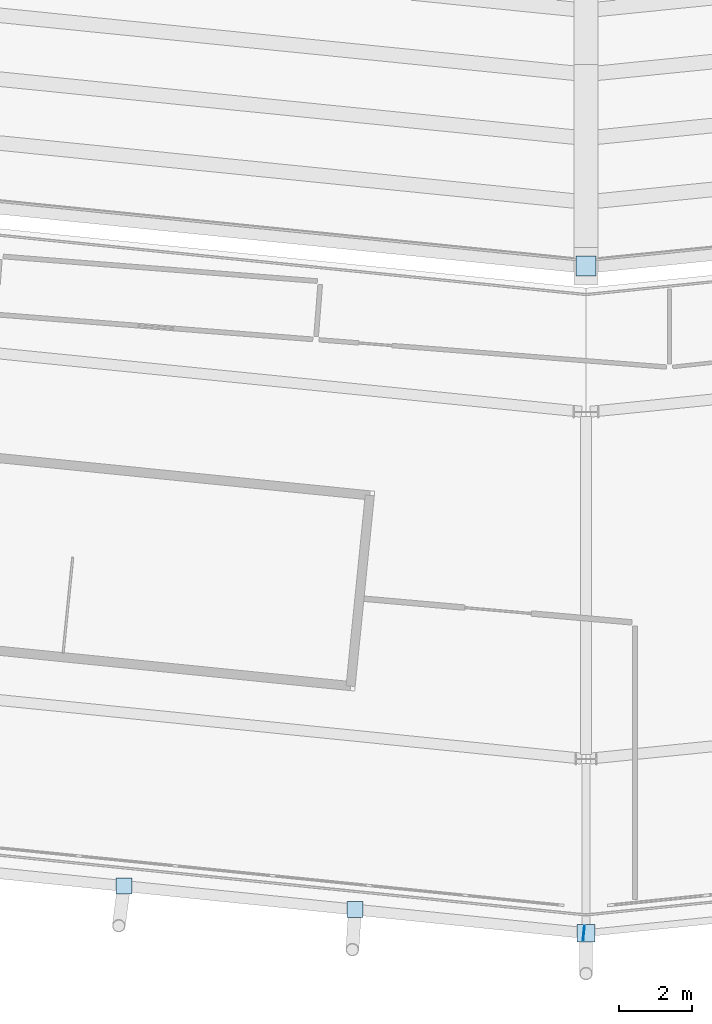
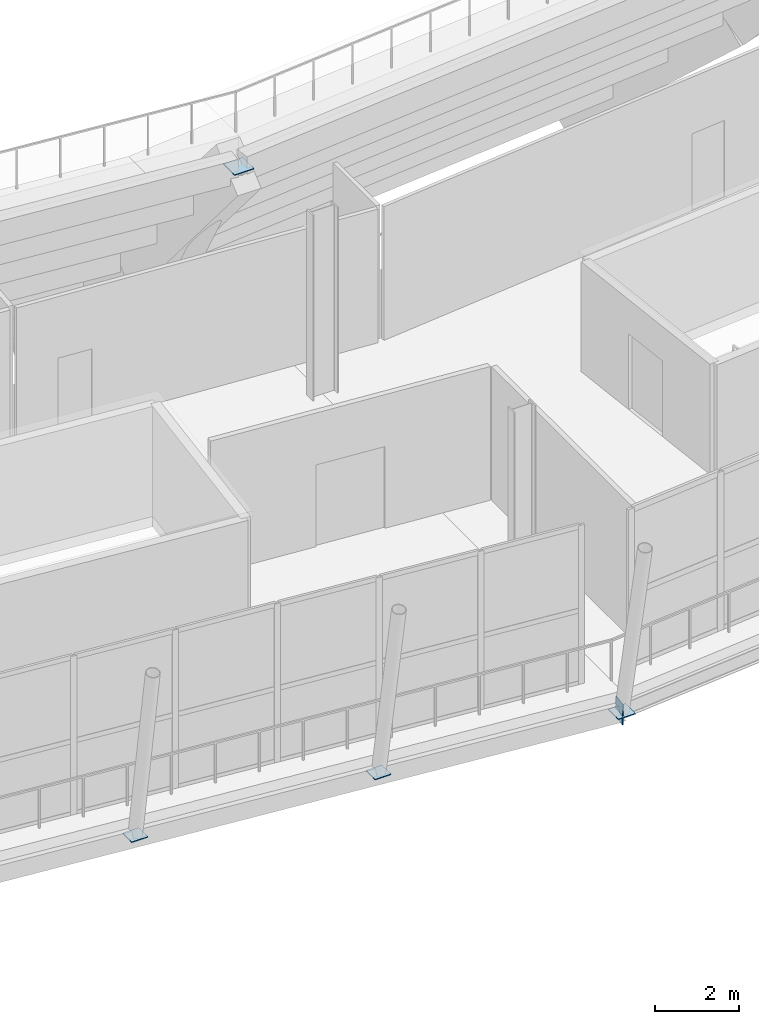
# One storey, part 78 of 126: 5 plates.
"""IFC4 building model written with IfcOpenShell, lengths in metres."""

from ifc_helpers import new_model, si_unit, direction, frame, origin, origin_2d, place, context, subcontext, project, spatial, rectangle, extrude, material, layer, layer_set, type_object, element, save


model = new_model("IFC4")

# Units and contexts
model_context = context("Model", 3, precision=1e-05, world=origin(), true_north=direction((0.0, 1.0)))
body_context = subcontext(model_context, "Body", "Model", "MODEL_VIEW")
ifc_project = project(units=[si_unit("LENGTHUNIT", "METRE"), si_unit("AREAUNIT", "SQUARE_METRE"), si_unit("VOLUMEUNIT", "CUBIC_METRE"), si_unit("PLANEANGLEUNIT", "RADIAN"), si_unit("MASSUNIT", "GRAM", prefix="KILO")], contexts=[model_context])

# Site, building, storey
site_placement = place(None, origin())
site = spatial("IfcSite", under=ifc_project, at=site_placement, CompositionType="ELEMENT")
building_placement = place(site_placement, origin())
building = spatial("IfcBuilding", under=site, at=building_placement, Name="Zlatoyarsky Gate Stadium", CompositionType="ELEMENT")
storey_placement = place(building_placement, frame((0.0, 0.0, 20.800048828125)))
storey = spatial("IfcBuildingStorey", under=building, at=storey_placement, Name="L04", CompositionType="ELEMENT", Elevation=20.800048828125)

# Plates
ifc_material = material(Name="Steel S355", Category="steel")
ifc_layer = layer(ifc_material, 0.02392578125)
ifc_layer_set = layer_set([ifc_layer], Name="Steel S355")
plate_type = type_object("IfcPlateType", Name="STEEL HOLLOW CHORD SPLICE SHEET 24", PredefinedType="SHEET", material=ifc_layer_set)
plate_1_placement = place(storey_placement, frame((110.940185546875, 4.236572265625, -0.85009765625), z_axis=(0.0, 0.0, 1.0), x_axis=(0.994835341665, -0.101501935813, 0.0)))
element("IfcPlate", 1, at=plate_1_placement, inside=storey, type_object=plate_type, Name="Hollow end cap ND-SP1 CAP-L04-SPD-17 B", PredefinedType="SHEET", context=body_context, shape_type="SweptSolid", body=[
    extrude(rectangle(XDim=0.02392578125, YDim=0.39990234375, at=origin_2d()), origin(), (0.0, 0.0, 1.0), 0.60009765625),
])
plate_2_placement = place(storey_placement, frame((111.0, 4.23046875, -0.612060546875), z_axis=(0.0, 0.0, 1.0), x_axis=(1.0, 0.0, 0.0)))
element("IfcPlate", 2, at=plate_2_placement, inside=storey, type_object=plate_type, Name="Node closure plate ND-SP1 NCAP-L04-RSTR-18", PredefinedType="SHEET", context=body_context, shape_type="SweptSolid", body=[
    extrude(rectangle(XDim=0.47998046875, YDim=0.47998046875, at=origin_2d()), origin(), (0.0, 0.0, 1.0), 0.02392578125),
])
plate_3_placement = place(storey_placement, frame((111.0, 22.5, 4.177978515625), z_axis=(0.0, 0.0, 1.0), x_axis=(1.0, 0.0, 0.0)))
element("IfcPlate", 3, at=plate_3_placement, inside=storey, type_object=plate_type, Name="Node closure plate ND-SP1 NCAP-UTOP-18", PredefinedType="SHEET", context=body_context, shape_type="SweptSolid", body=[
    extrude(rectangle(XDim=0.5400390625, YDim=0.5400390625, at=origin_2d()), origin(), (0.0, 0.0, 1.0), 0.02392578125),
])
for number, where, z_axis, x_axis, name in (
    (4, (98.34765625, 5.521240234375, -0.56201171875), (0.0, 0.0, 1.0), (1.0, 0.0, 0.0), "Node closure plate ND-SP1 NCAP-RIB-17-2-2T"),
    (5, (104.673828125, 4.875732421875, -0.56201171875), (0.0, 0.0, 1.0), (1.0, 0.0, 0.0), "Node closure plate ND-SP1 NCAP-RIB-17-3-2T"),
):
    element("IfcPlate", number, at=place(storey_placement, frame(where, z_axis=z_axis, x_axis=x_axis)), inside=storey, type_object=plate_type, Name=name, PredefinedType="SHEET", context=body_context, shape_type="SweptSolid", body=[
        extrude(rectangle(XDim=0.43994140625, YDim=0.43994140625, at=origin_2d()), origin(), (0.0, 0.0, 1.0), 0.02392578125),
    ])

save(model, "model.ifc")
